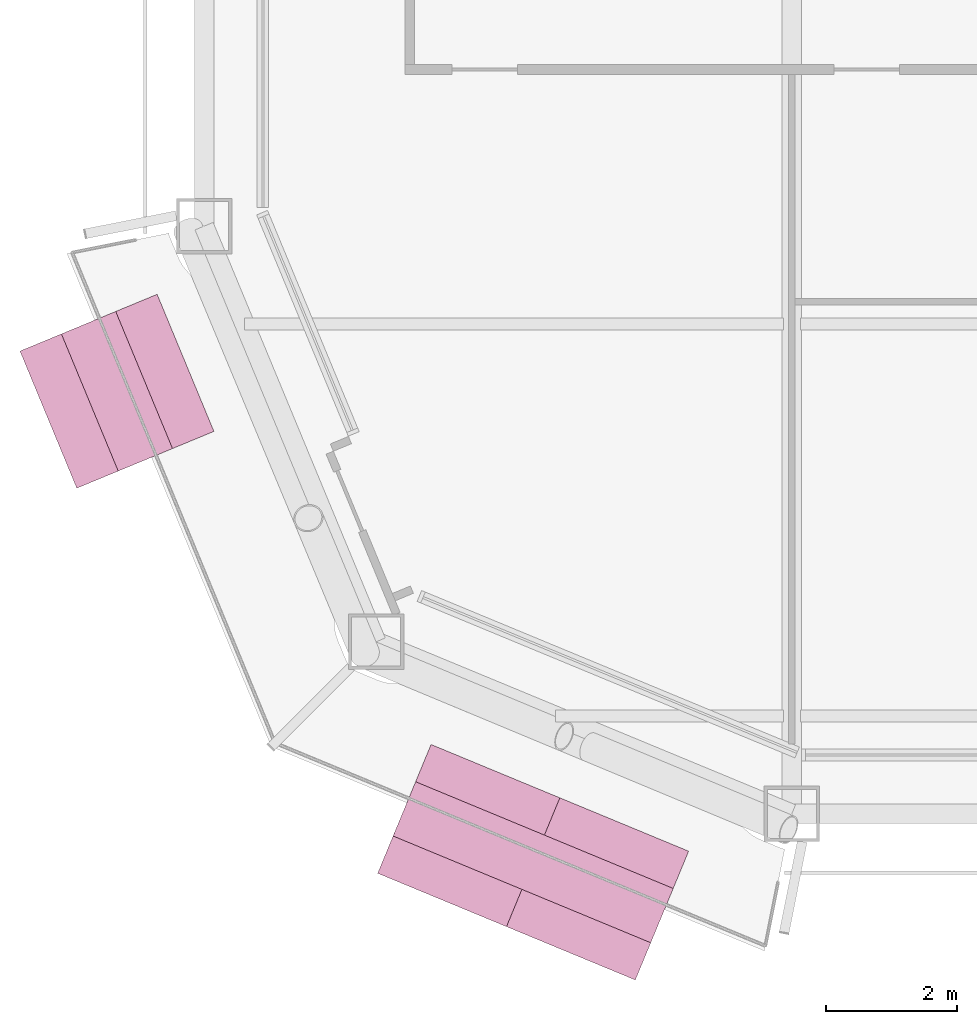
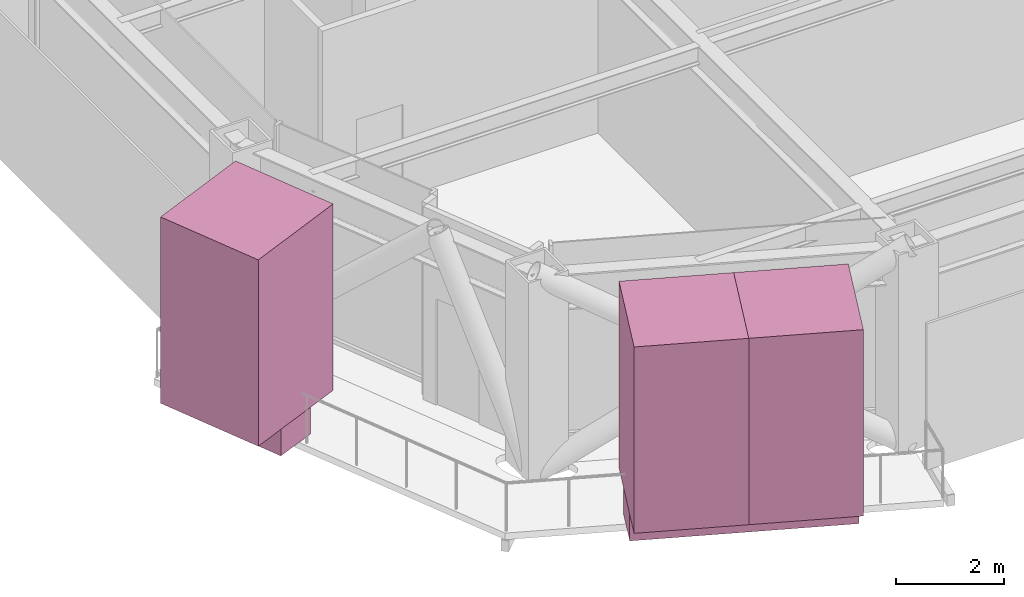
# One storey, part 23 of 23: 5 furnishings.
"""IFC4 building model written with IfcOpenShell, lengths in metres."""

import ifcopenshell
import ifcopenshell.guid

model = None  # the IFC model being written
_history = None  # IfcOwnerHistory: only IFC2X3 demands one
_inside = {}  # id of a spatial element -> (the spatial element, [elements in it])
_under = {}  # id of a project, library or spatial element -> (it, [spatial elements below it])
_declared = {}  # id of a project -> (the project, [libraries it declares])
_typed = {}  # id of a type object -> (the type object, [elements of that type])
_made_of = {}  # id of a material, layer set ... -> (it, [elements and type objects made of it])


def new_model(schema):
    """Start an empty IFC model of exactly this schema.

    Asked for "IFC4X3", IfcOpenShell would pick the latest addendum, in which some entities
    have other attributes; the version numbers below select the first issue.
    IFC2X3 requires an IfcOwnerHistory on every rooted entity: one is made here for all.
    """
    global model, _history
    if schema == "IFC4X3":
        model = ifcopenshell.file(schema_version=(4, 3, 0, 0))
    else:
        model = ifcopenshell.file(schema=schema)
    _inside.clear()
    _under.clear()
    _declared.clear()
    _typed.clear()
    _made_of.clear()
    _history = None
    if model.schema == "IFC2X3":
        org = make("IfcOrganization", Name="unknown")
        user = make(
            "IfcPersonAndOrganization",
            ThePerson=make("IfcPerson", FamilyName="unknown"),
            TheOrganization=org,
        )
        app = make(
            "IfcApplication",
            ApplicationDeveloper=org,
            Version="unknown",
            ApplicationFullName="unknown",
            ApplicationIdentifier="unknown",
        )
        _history = make(
            "IfcOwnerHistory",
            OwningUser=user,
            OwningApplication=app,
            ChangeAction="ADDED",
            CreationDate=0,
        )
    return model


def make(cls, **values):
    """One entity of the class cls with the attributes given. An attribute that is None is left unset."""
    return model.create_entity(
        cls, **{name: value for name, value in values.items() if value is not None}
    )


def rooted(cls, **values):
    """An entity with a GlobalId (a new one), such as an element, a storey or a relation."""
    return make(cls, GlobalId=ifcopenshell.guid.new(), OwnerHistory=_history, **values)


def si_unit(unit_type, name, prefix=None):
    """IfcSIUnit, for example si_unit("LENGTHUNIT", "METRE", prefix="MILLI")."""
    return make("IfcSIUnit", UnitType=unit_type, Prefix=prefix, Name=name)


def assignment(units):
    """IfcUnitAssignment: the units of a project."""
    return None if units is None else make("IfcUnitAssignment", Units=units)


def point(xyz):
    """IfcCartesianPoint."""
    return None if xyz is None else make("IfcCartesianPoint", Coordinates=xyz)


def direction(xyz):
    """IfcDirection."""
    return None if xyz is None else make("IfcDirection", DirectionRatios=xyz)


def frame(location, z_axis=None, x_axis=None):
    """IfcAxis2Placement3D, a coordinate frame: its origin and axes. An axis left out is left unset."""
    return make(
        "IfcAxis2Placement3D",
        Location=point(location),
        Axis=direction(z_axis),
        RefDirection=direction(x_axis),
    )


def frame_2d(location, x_axis=None):
    """IfcAxis2Placement2D, a coordinate frame in the plane: its origin and x axis."""
    return make(
        "IfcAxis2Placement2D", Location=point(location), RefDirection=direction(x_axis)
    )


def origin():
    """The frame at (0, 0, 0) with its axes left unset."""
    return frame((0.0, 0.0, 0.0))


def origin_2d():
    """The frame at (0, 0) in the plane with its x axis left unset."""
    return frame_2d((0.0, 0.0))


def place(relative_to, where):
    """IfcLocalPlacement: puts the frame where relative to a parent placement (None: the world)."""
    return make(
        "IfcLocalPlacement", PlacementRelTo=relative_to, RelativePlacement=where
    )


def context(
    kind, dimensions, precision=None, world=None, true_north=None, identifier=None
):
    """IfcGeometricRepresentationContext, for example the 3D "Model" context."""
    return make(
        "IfcGeometricRepresentationContext",
        ContextIdentifier=identifier,
        ContextType=kind,
        CoordinateSpaceDimension=dimensions,
        Precision=precision,
        WorldCoordinateSystem=world,
        TrueNorth=true_north,
    )


def subcontext(parent, identifier, kind, view, scale=None):
    """IfcGeometricRepresentationSubContext, for example "Body" below "Model"."""
    return make(
        "IfcGeometricRepresentationSubContext",
        ContextIdentifier=identifier,
        ContextType=kind,
        ParentContext=parent,
        TargetScale=scale,
        TargetView=view,
    )


def project(units=None, contexts=None):
    """IfcProject with its units and contexts."""
    return rooted(
        "IfcProject",
        Name="project",
        RepresentationContexts=contexts,
        UnitsInContext=assignment(units),
    )


def spatial(cls, under=None, at=None, **own):
    """A site, building, storey or space (cls), placed at a placement, below another one or the project."""
    s = rooted(cls, ObjectPlacement=at, **own)
    if under is not None:
        _under.setdefault(under.id(), (under, []))[1].append(s)
    return s


def profile(cls, at=None, kind="AREA", **sizes):
    """A parametric profile (cls). Its sizes go by their IFC names, for example OverallWidth=200.0."""
    return make(cls, ProfileType=kind, Position=at, **sizes)


def rectangle(**sizes):
    """IfcRectangleProfileDef."""
    return profile("IfcRectangleProfileDef", **sizes)


def extrude(swept, where, along, depth):
    """IfcExtrudedAreaSolid: the profile swept, set in the frame where, extruded along a direction by depth."""
    return make(
        "IfcExtrudedAreaSolid",
        SweptArea=swept,
        Position=where,
        ExtrudedDirection=direction(along),
        Depth=depth,
    )


def shape(context_of_items, identifier, shape_type, items):
    """IfcShapeRepresentation: the items that make up one representation, for example the "Body"."""
    return make(
        "IfcShapeRepresentation",
        ContextOfItems=context_of_items,
        RepresentationIdentifier=identifier,
        RepresentationType=shape_type,
        Items=items,
    )


def material(Name=None, Category=None):
    """IfcMaterial."""
    return make("IfcMaterial", Name=Name, Category=Category)


def made_of(thing, what):
    """Note that an element or type object is made of a material, layer set ...; save() writes the relation."""
    if what is not None:
        _made_of.setdefault(what.id(), (what, []))[1].append(thing)
    return thing


def type_object(cls, material=None, **own):
    """A type object (cls), such as IfcWallType, which elements share."""
    return made_of(rooted(cls, **own), material)


def element(
    cls,
    number,
    at=None,
    inside=None,
    cuts=None,
    type_object=None,
    material=None,
    context=None,
    identifier="Body",
    shape_type=None,
    held_by="IfcProductDefinitionShape",
    body=None,
    shapes=None,
    **own,
):
    """One element of the class cls, such as IfcWall. Its Tag is "e" and its number.

    at: its placement. inside: the storey or other place that contains it. cuts: it is an
    opening in that element (IfcRelVoidsElement). A single representation is given by context,
    identifier, shape_type and body (its items); several are given by shapes. held_by: the class
    of the entity that holds the representations. save() writes the other relations.
    """
    e = rooted(cls, Tag="e%d" % number, ObjectPlacement=at, **own)
    if body is not None:
        shapes = [shape(context, identifier, shape_type, body)]
    if shapes is not None:
        e.Representation = make(held_by, Representations=shapes)
    if inside is not None:
        _inside.setdefault(inside.id(), (inside, []))[1].append(e)
    if cuts is not None:
        rooted(
            "IfcRelVoidsElement", RelatingBuildingElement=cuts, RelatedOpeningElement=e
        )
    if type_object is not None:
        _typed.setdefault(type_object.id(), (type_object, []))[1].append(e)
    return made_of(e, material)


def aggregate(whole, parts):
    """IfcRelAggregates: a whole, such as a stair, and the parts it consists of."""
    return rooted("IfcRelAggregates", RelatingObject=whole, RelatedObjects=parts)


def save(model, path):
    """Write the relations noted so far, then the file.

    IfcRelAggregates (storeys below a building ...), IfcRelContainedInSpatialStructure (elements
    in a storey), IfcRelDefinesByType, IfcRelAssociatesMaterial and IfcRelDeclares: one each for
    every whole, place, type object, material and project.
    """
    for whole, parts in _under.values():
        aggregate(whole, parts)
    for where, things in _inside.values():
        rooted(
            "IfcRelContainedInSpatialStructure",
            RelatedElements=things,
            RelatingStructure=where,
        )
    for kind, things in _typed.values():
        rooted("IfcRelDefinesByType", RelatedObjects=things, RelatingType=kind)
    for what, things in _made_of.values():
        rooted("IfcRelAssociatesMaterial", RelatedObjects=things, RelatingMaterial=what)
    for by, libraries in _declared.values():
        rooted("IfcRelDeclares", RelatingContext=by, RelatedDefinitions=libraries)
    model.write(path)


model = new_model("IFC4")

# Units and contexts
model_context = context("Model", 3, precision=1e-05, world=origin(), true_north=direction((0.0, 1.0)))
body_context = subcontext(model_context, "Body", "Model", "MODEL_VIEW")
ifc_project = project(units=[si_unit("LENGTHUNIT", "METRE"), si_unit("AREAUNIT", "SQUARE_METRE"), si_unit("VOLUMEUNIT", "CUBIC_METRE"), si_unit("PLANEANGLEUNIT", "RADIAN"), si_unit("MASSUNIT", "GRAM", prefix="KILO")], contexts=[model_context])

# Site, building, storey
site_placement = place(None, origin())
site = spatial("IfcSite", under=ifc_project, at=site_placement, CompositionType="ELEMENT")
building_placement = place(site_placement, origin())
building = spatial("IfcBuilding", under=site, at=building_placement, Name="Siwar Civic Tower", CompositionType="ELEMENT")
storey_placement = place(building_placement, frame((0.0, 0.0, 233.199951171875)))
storey = spatial("IfcBuildingStorey", under=building, at=storey_placement, Name="L50", CompositionType="ELEMENT", Elevation=233.199951171875)

# Furnishings
ifc_material_1 = material(Name="Planting soil and foliage")
furnishing_element_type_1 = type_object("IfcFurnishingElementType", Name="ENV-PLANTER", material=ifc_material_1)
furnishing_1_placement = place(storey_placement, frame((-28.333984375, -20.5283203125, 0.0), z_axis=(0.0, 0.0, 1.0), x_axis=(0.382683432365, -0.923879532511, 0.0)))
element("IfcFurnishingElement", 1, at=furnishing_1_placement, inside=storey, type_object=furnishing_element_type_1, Name="PLANTER SW 1", context=body_context, shape_type="SweptSolid", body=[
    extrude(rectangle(XDim=2.273193359375, YDim=0.89990234375, at=origin_2d()), origin(), (0.0, 0.0, 1.0), 0.60009765625),
])
furnishing_2_placement = place(storey_placement, frame((-21.960205078125, -27.740966796875, 0.0), z_axis=(0.0, 0.0, 1.0), x_axis=(0.923879532511, -0.382683432365, 0.0)))
element("IfcFurnishingElement", 2, at=furnishing_2_placement, inside=storey, type_object=furnishing_element_type_1, Name="PLANTER SW 2", context=body_context, shape_type="SweptSolid", body=[
    extrude(rectangle(XDim=4.270751953125, YDim=0.89990234375, at=origin_2d()), origin(), (0.0, 0.0, 1.0), 0.60009765625),
])
ifc_material_2 = material(Name="Planting soil and foliage")
furnishing_element_type_2 = type_object("IfcFurnishingElementType", Name="ENV-TREE", material=ifc_material_2)
furnishing_3_placement = place(storey_placement, frame((-28.333984375, -20.5283203125, 0.60009765625), z_axis=(0.0, 0.0, 1.0), x_axis=(0.382683432365, -0.923879532511, 0.0)))
element("IfcFurnishingElement", 3, at=furnishing_3_placement, inside=storey, type_object=furnishing_element_type_2, Name="PLANTER (TREE) SW 1.1", context=body_context, shape_type="SweptSolid", body=[
    extrude(rectangle(XDim=2.273193359375, YDim=2.273193359375, at=origin_2d()), origin(), (0.0, 0.0, 1.0), 4.199951171875),
])
for number, where, z_axis, x_axis, name in (
    (4, (-22.94677734375, -27.332275390625, 0.60009765625), (0.0, 0.0, 1.0), (0.923879532511, -0.382683432365, 0.0), "PLANTER (TREE) SW 2.1"),
    (5, (-20.973876953125, -28.1494140625, 0.60009765625), (0.0, 0.0, 1.0), (0.923879532511, -0.382683432365, 0.0), "PLANTER (TREE) SW 2.2"),
):
    element("IfcFurnishingElement", number, at=place(storey_placement, frame(where, z_axis=z_axis, x_axis=x_axis)), inside=storey, type_object=furnishing_element_type_2, Name=name, context=body_context, shape_type="SweptSolid", body=[
        extrude(rectangle(XDim=2.13525390625, YDim=2.13525390625, at=origin_2d()), origin(), (0.0, 0.0, 1.0), 4.199951171875),
    ])

save(model, "model.ifc")
